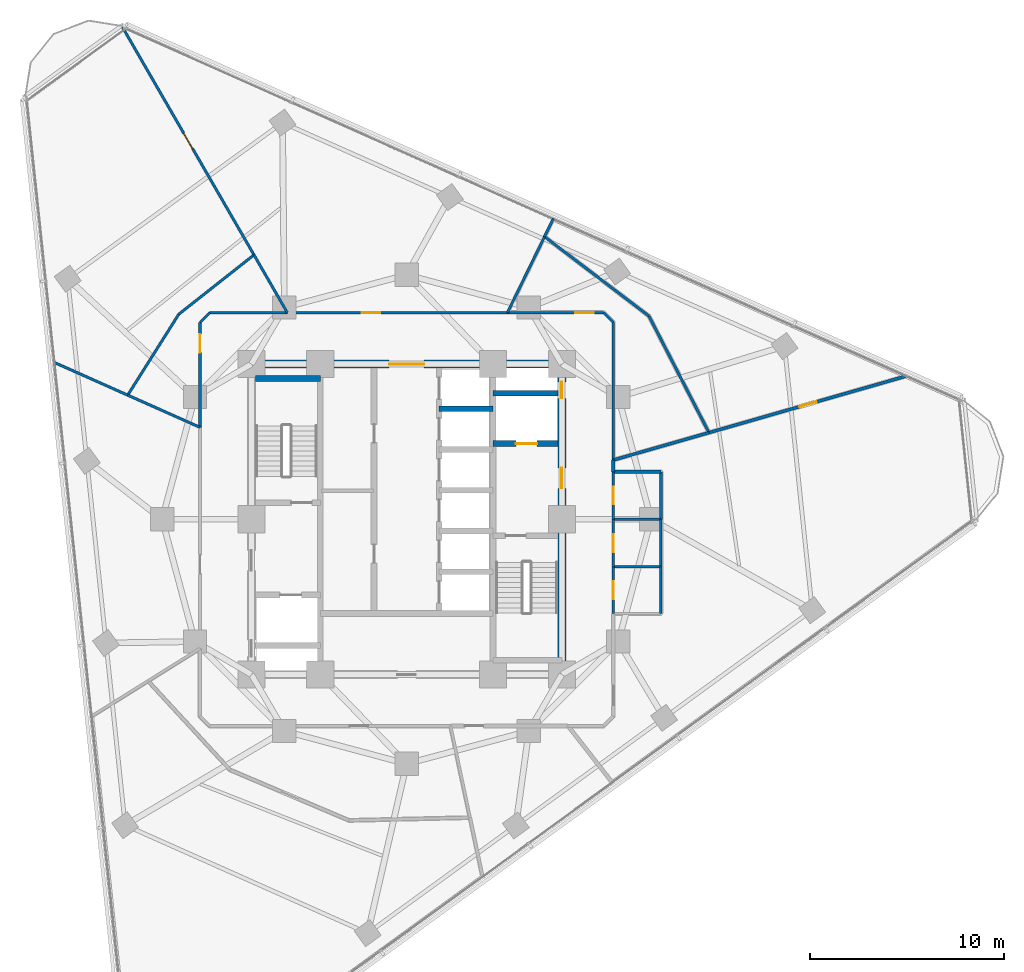
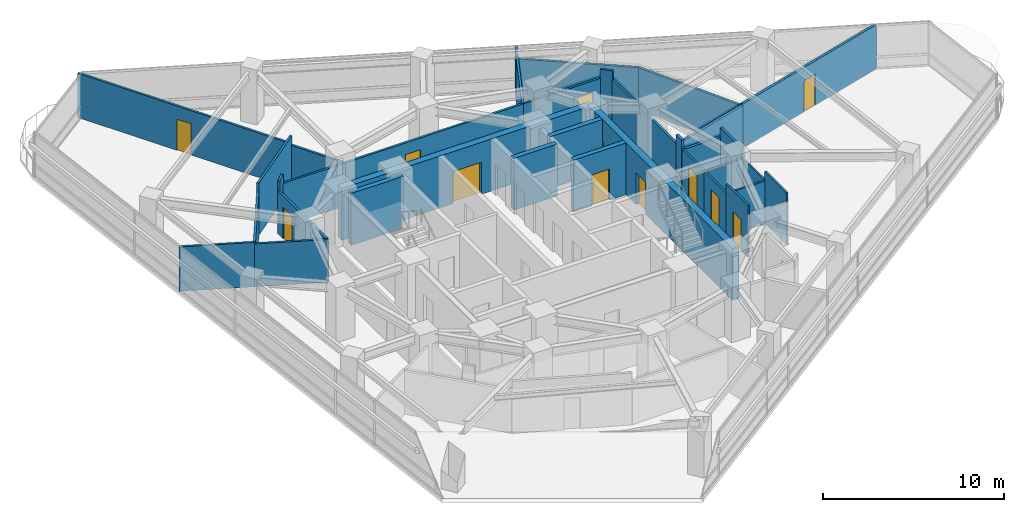
# One storey, part 9 of 14: 35 walls, 12 doors, 12 openings.
"""IFC4 building model written with IfcOpenShell, lengths in metres."""

from ifc_helpers import new_model, si_unit, direction, frame, frame_2d, origin, place, context, subcontext, project, spatial, rectangle, extrude, material, layer, layer_set, type_object, element, fill, save


model = new_model("IFC4")

# Units and contexts
model_context = context("Model", 3, precision=1e-05, world=origin(), true_north=direction((0.0, 1.0)))
body_context = subcontext(model_context, "Body", "Model", "MODEL_VIEW")
ifc_project = project(units=[si_unit("LENGTHUNIT", "METRE"), si_unit("AREAUNIT", "SQUARE_METRE"), si_unit("VOLUMEUNIT", "CUBIC_METRE"), si_unit("PLANEANGLEUNIT", "RADIAN"), si_unit("MASSUNIT", "GRAM", prefix="KILO")], contexts=[model_context])

# Site, building, storey
site_placement = place(None, origin())
site = spatial("IfcSite", under=ifc_project, at=site_placement, CompositionType="ELEMENT")
building_placement = place(site_placement, origin())
building = spatial("IfcBuilding", under=site, at=building_placement, Name="Terralouvre Media Tower", CompositionType="ELEMENT")
storey_placement = place(building_placement, frame((0.0, 0.0, 154.60009765625)))
storey = spatial("IfcBuildingStorey", under=building, at=storey_placement, Name="L39", CompositionType="ELEMENT", Elevation=154.60009765625)

# Wall
ifc_material_1 = material(Name="Concrete C50/60", Category="concrete")
ifc_layer_1 = layer(ifc_material_1, 0.300048828125, Name="Core Internal Shaft Wall CW-300")
ifc_layer_set_1 = layer_set([ifc_layer_1], Name="Concrete C50/60")
wall_type_1 = type_object("IfcWallType", Name="Core Internal Shaft Wall CW-300", PredefinedType="SHEAR", material=ifc_layer_set_1)
wall_1_placement = place(storey_placement, frame((-7.7900390625, 7.260009765625, 0.0), z_axis=(0.0, 0.0, 1.0), x_axis=(1.0, 0.0, 0.0)))
element("IfcWall", 1, at=wall_1_placement, inside=storey, type_object=wall_type_1, Name="L39 Core Shaft Wall ST1F", PredefinedType="SHEAR", context=body_context, shape_type="SweptSolid", body=[
    extrude(rectangle(XDim=3.340087890625, YDim=0.300048828125, at=frame_2d((1.669921875, 0.0))), origin(), (0.0, 0.0, 1.0), 3.5),
])

# Wall, opening, door
wall_2_placement = place(storey_placement, frame((4.449951171875, 3.89990234375, 0.0), z_axis=(0.0, 0.0, 1.0), x_axis=(1.0, 0.0, 0.0)))
wall_2 = element("IfcWall", 2, at=wall_2_placement, inside=storey, type_object=wall_type_1, Name="L39 Core Shaft Wall FF2S", PredefinedType="SHEAR", context=body_context, shape_type="SweptSolid", body=[
    extrude(rectangle(XDim=3.340087890625, YDim=0.300048828125, at=frame_2d((1.669921875, 0.0))), origin(), (0.0, 0.0, 1.0), 3.5),
])
opening_1_placement = place(wall_2_placement, frame((1.179931640625, 0.0, 0.0)))
opening_1 = element("IfcOpeningElement", 3, at=opening_1_placement, cuts=wall_2, Name="Opening LD-FF", PredefinedType="OPENING", context=body_context, shape_type="SweptSolid", body=[
    extrude(rectangle(XDim=1.10009765625, YDim=2.10009765625, at=frame_2d((0.550048828125, 1.050048828125))), frame((0.0, 0.159912109375, 0.0), z_axis=(0.0, -1.0, 0.0), x_axis=(1.0, 0.0, 0.0)), (0.0, 0.0, 1.0), 0.320068359375),
])
ifc_material_2 = material(Name="Stainless steel 316 handrail and balustrade", Category="steel")
door_type_1 = type_object("IfcDoorType", Name="Firefighting Lift Sliding Landing Door LD-FF", OperationType="SLIDING_TO_LEFT", PredefinedType="DOOR", material=ifc_material_2)
door_1_placement = place(opening_1_placement, origin())
door_1 = element("IfcDoor", 4, at=door_1_placement, inside=storey, type_object=door_type_1, Name="L39 Firefighting Lift FFL-02 Landing Door", OperationType="SLIDING_TO_LEFT", OverallHeight=2.10009765625, OverallWidth=1.10009765625, PredefinedType="DOOR", context=body_context, shape_type="SweptSolid", body=[
    extrude(rectangle(XDim=1.10009765625, YDim=2.10009765625, at=frame_2d((0.550048828125, 1.050048828125))), frame((0.0, 0.02490234375, 0.0), z_axis=(0.0, -1.0, 0.0), x_axis=(1.0, 0.0, 0.0)), (0.0, 0.0, 1.0), 0.050048828125),
])
fill(opening_1, door_1)

# Walls
wall_3_placement = place(storey_placement, frame((4.449951171875, 6.5, 0.0), z_axis=(0.0, 0.0, 1.0), x_axis=(1.0, 0.0, 0.0)))
element("IfcWall", 5, at=wall_3_placement, inside=storey, type_object=wall_type_1, Name="L39 Core Shaft Wall FF2N", PredefinedType="SHEAR", context=body_context, shape_type="SweptSolid", body=[
    extrude(rectangle(XDim=3.340087890625, YDim=0.300048828125, at=frame_2d((1.669921875, 0.0))), origin(), (0.0, 0.0, 1.0), 3.5),
])
wall_4_placement = place(storey_placement, frame((1.679931640625, 5.699951171875, 0.0), z_axis=(0.0, 0.0, 1.0), x_axis=(1.0, 0.0, 0.0)))
element("IfcWall", 6, at=wall_4_placement, inside=storey, type_object=wall_type_1, Name="L39 Core Shaft Wall PLMD2", PredefinedType="SHEAR", context=body_context, shape_type="SweptSolid", body=[
    extrude(rectangle(XDim=2.77001953125, YDim=0.300048828125, at=frame_2d((1.385009765625, 0.0))), origin(), (0.0, 0.0, 1.0), 3.5),
])

# Wall, openings, doors
ifc_material_3 = material(Name="Concrete C60/75", Category="concrete")
ifc_layer_2 = layer(ifc_material_3, 0.419921875, Name="Core Reinforced Concrete Shear Wall CW-420")
ifc_layer_set_2 = layer_set([ifc_layer_2], Name="Concrete C60/75")
wall_type_2 = type_object("IfcWallType", Name="Core Reinforced Concrete Shear Wall CW-420", PredefinedType="SHEAR", material=ifc_layer_set_2)
wall_5_placement = place(storey_placement, frame((8.0, -8.0, 0.0), z_axis=(0.0, 0.0, 1.0), x_axis=(0.0, 1.0, 0.0)))
wall_5 = element("IfcWall", 7, at=wall_5_placement, inside=storey, type_object=wall_type_2, Name="L39 E Core Shear Wall", PredefinedType="SHEAR", context=body_context, shape_type="SweptSolid", body=[
    extrude(rectangle(XDim=16.0, YDim=0.419921875, at=frame_2d((8.0, 0.0))), origin(), (0.0, 0.0, 1.0), 3.5),
])
opening_2_placement = place(wall_5_placement, frame((9.60009765625, 0.0, 0.0)))
opening_2 = element("IfcOpeningElement", 8, at=opening_2_placement, cuts=wall_5, Name="Opening FD-01-105X215", PredefinedType="OPENING", context=body_context, shape_type="SweptSolid", body=[
    extrude(rectangle(XDim=1.050048828125, YDim=2.14990234375, at=frame_2d((0.52490234375, 1.074951171875))), frame((0.0, 0.219970703125, 0.0), z_axis=(0.0, -1.0, 0.0), x_axis=(1.0, 0.0, 0.0)), (0.0, 0.0, 1.0), 0.43994140625),
])
opening_3_placement = place(wall_5_placement, frame((14.228515625, 0.0, 0.0)))
opening_3 = element("IfcOpeningElement", 9, at=opening_3_placement, cuts=wall_5, Name="Opening TD-R1", PredefinedType="OPENING", context=body_context, shape_type="SweptSolid", body=[
    extrude(rectangle(XDim=0.85009765625, YDim=2.02001953125, at=frame_2d((0.425048828125, 1.010009765625))), frame((0.0, 0.219970703125, 0.0), z_axis=(0.0, -1.0, 0.0), x_axis=(1.0, 0.0, 0.0)), (0.0, 0.0, 1.0), 0.43994140625),
])
ifc_material_4 = material(Name="Galvanised steel fire-resisting leaf", Category="steel")
door_type_2 = type_object("IfcDoorType", Name="Riser Inspection Access Trapdoor TD-R1", OperationType="NOTDEFINED", PredefinedType="TRAPDOOR", material=ifc_material_4)
door_2_placement = place(opening_3_placement, origin())
door_2 = element("IfcDoor", 10, at=door_2_placement, inside=storey, type_object=door_type_2, Name="L39 East Comms Riser Access Trapdoor", OperationType="SINGLE_SWING_RIGHT", OverallHeight=2.02001953125, OverallWidth=0.85009765625, PredefinedType="TRAPDOOR", context=body_context, shape_type="SweptSolid", body=[
    extrude(rectangle(XDim=0.85009765625, YDim=2.02001953125, at=frame_2d((0.425048828125, 1.010009765625))), frame((0.0, 0.02490234375, 0.0), z_axis=(0.0, -1.0, 0.0), x_axis=(1.0, 0.0, 0.0)), (0.0, 0.0, 1.0), 0.050048828125),
])
fill(opening_3, door_2)
ifc_material_5 = material(Name="Galvanised steel fire-resisting leaf", Category="steel")
door_type_3 = type_object("IfcDoorType", Name="Stair and Firefighting Lobby Fire Door FD-01 (1050x2150)", OperationType="NOTDEFINED", PredefinedType="DOOR", material=ifc_material_5)
door_3_placement = place(opening_2_placement, origin())
door_3 = element("IfcDoor", 11, at=door_3_placement, inside=storey, type_object=door_type_3, Name="L39 East Firefighting Lobby Entry Door", OperationType="SINGLE_SWING_LEFT", OverallHeight=2.14990234375, OverallWidth=1.050048828125, PredefinedType="DOOR", context=body_context, shape_type="SweptSolid", body=[
    extrude(rectangle(XDim=1.050048828125, YDim=2.14990234375, at=frame_2d((0.52490234375, 1.074951171875))), frame((0.0, 0.02490234375, 0.0), z_axis=(0.0, -1.0, 0.0), x_axis=(1.0, 0.0, 0.0)), (0.0, 0.0, 1.0), 0.050048828125),
])
fill(opening_2, door_3)

# Wall, opening, door
wall_6_placement = place(storey_placement, frame((-8.0, 8.0, 0.0), z_axis=(0.0, 0.0, 1.0), x_axis=(1.0, 0.0, 0.0)))
wall_6 = element("IfcWall", 12, at=wall_6_placement, inside=storey, type_object=wall_type_2, Name="L39 N Core Shear Wall", PredefinedType="SHEAR", context=body_context, shape_type="SweptSolid", body=[
    extrude(rectangle(XDim=16.0, YDim=0.419921875, at=frame_2d((8.0, 0.0))), origin(), (0.0, 0.0, 1.0), 3.5),
])
opening_4_placement = place(wall_6_placement, frame((7.10009765625, 0.0, 0.0)))
opening_4 = element("IfcOpeningElement", 13, at=opening_4_placement, cuts=wall_6, Name="Opening FD-03", PredefinedType="OPENING", context=body_context, shape_type="SweptSolid", body=[
    extrude(rectangle(XDim=1.800048828125, YDim=2.14990234375, at=frame_2d((0.89990234375, 1.074951171875))), frame((0.0, 0.219970703125, 0.0), z_axis=(0.0, -1.0, 0.0), x_axis=(1.0, 0.0, 0.0)), (0.0, 0.0, 1.0), 0.43994140625),
])
ifc_material_6 = material(Name="Galvanised steel fire-resisting leaf", Category="steel")
door_type_4 = type_object("IfcDoorType", Name="Corridor Smoke-Control Double Door FD-03", OperationType="DOUBLE_DOOR_SINGLE_SWING", PredefinedType="DOOR", material=ifc_material_6)
door_4_placement = place(opening_4_placement, origin())
door_4 = element("IfcDoor", 14, at=door_4_placement, inside=storey, type_object=door_type_4, Name="L39 Central Lift Lobby Portal Door", OperationType="DOUBLE_DOOR_SINGLE_SWING", OverallHeight=2.14990234375, OverallWidth=1.800048828125, PredefinedType="DOOR", context=body_context, shape_type="SweptSolid", body=[
    extrude(rectangle(XDim=1.800048828125, YDim=2.14990234375, at=frame_2d((0.89990234375, 1.074951171875))), frame((0.0, 0.02490234375, 0.0), z_axis=(0.0, -1.0, 0.0), x_axis=(1.0, 0.0, 0.0)), (0.0, 0.0, 1.0), 0.050048828125),
])
fill(opening_4, door_4)

# Walls
ifc_material_7 = material(Name="Fire-rated gypsum board drywall partition")
ifc_layer_3 = layer(ifc_material_7, 0.135009765625, Name="Newsroom Acoustic Partition PT-135")
ifc_layer_set_3 = layer_set([ifc_layer_3], Name="Fire-rated gypsum board drywall partition")
wall_type_3 = type_object("IfcWallType", Name="Newsroom Acoustic Partition PT-135", PredefinedType="PARTITIONING", material=ifc_layer_set_3)
wall_7_placement = place(storey_placement, frame((10.64990234375, 3.053955078125, 0.0), z_axis=(0.0, 0.0, 1.0), x_axis=(0.0, 1.0, 0.0)))
element("IfcWall", 15, at=wall_7_placement, inside=storey, type_object=wall_type_3, Name="L39 Interior Partition 013", PredefinedType="PARTITIONING", context=body_context, shape_type="SweptSolid", body=[
    extrude(rectangle(XDim=7.095947265625, YDim=0.135009765625, at=frame_2d((3.5478515625, 0.0))), origin(), (0.0, 0.0, 1.0), 2.885009765625),
])
wall_8_placement = place(storey_placement, frame((10.64990234375, 10.14990234375, 0.0), z_axis=(0.0, 0.0, 1.0), x_axis=(-0.707106781187, 0.707106781187, 0.0)))
element("IfcWall", 16, at=wall_8_placement, inside=storey, type_object=wall_type_3, Name="L39 Interior Partition 014", PredefinedType="PARTITIONING", context=body_context, shape_type="SweptSolid", body=[
    extrude(rectangle(XDim=0.70703125, YDim=0.135009765625, at=frame_2d((0.353515625, 0.0))), origin(), (0.0, 0.0, 1.0), 3.5),
])

# Wall, opening, door
wall_9_placement = place(storey_placement, frame((10.14990234375, 10.64990234375, 0.0), z_axis=(0.0, 0.0, 1.0), x_axis=(-1.0, 0.0, 0.0)))
wall_9 = element("IfcWall", 17, at=wall_9_placement, inside=storey, type_object=wall_type_3, Name="L39 Interior Partition 015", PredefinedType="PARTITIONING", context=body_context, shape_type="SweptSolid", body=[
    extrude(rectangle(XDim=4.955810546875, YDim=0.135009765625, at=frame_2d((2.47802734375, 0.0))), origin(), (0.0, 0.0, 1.0), 2.885009765625),
])
opening_5_placement = place(wall_9_placement, frame((0.51611328125, 0.0, 0.0)))
opening_5 = element("IfcOpeningElement", 18, at=opening_5_placement, cuts=wall_9, Name="Opening ID-02-95X210", PredefinedType="OPENING", context=body_context, shape_type="SweptSolid", body=[
    extrude(rectangle(XDim=0.949951171875, YDim=2.10009765625, at=frame_2d((0.47509765625, 1.050048828125))), frame((0.0, 0.077392578125, 0.0), z_axis=(0.0, -1.0, 0.0), x_axis=(1.0, 0.0, 0.0)), (0.0, 0.0, 1.0), 0.155029296875),
])
ifc_material_8 = material(Name="Engineered hardwood acoustic timber leaf", Category="wood")
door_type_5 = type_object("IfcDoorType", Name="Office and Meeting Room Door ID-02 (950x2100)", OperationType="NOTDEFINED", PredefinedType="DOOR", material=ifc_material_8)
door_5_placement = place(opening_5_placement, origin())
door_5 = element("IfcDoor", 19, at=door_5_placement, inside=storey, type_object=door_type_5, Name="L39 Acoustic Music Listening Room 7 Door", OperationType="SINGLE_SWING_LEFT", OverallHeight=2.10009765625, OverallWidth=0.949951171875, PredefinedType="DOOR", context=body_context, shape_type="SweptSolid", body=[
    extrude(rectangle(XDim=0.949951171875, YDim=2.10009765625, at=frame_2d((0.47509765625, 1.050048828125))), frame((0.0, 0.02490234375, 0.0), z_axis=(0.0, -1.0, 0.0), x_axis=(1.0, 0.0, 0.0)), (0.0, 0.0, 1.0), 0.050048828125),
])
fill(opening_5, door_5)

wall_10_placement = place(storey_placement, frame((5.194091796875, 10.64990234375, 0.0), z_axis=(0.0, 0.0, 1.0), x_axis=(-1.0, 0.0, 0.0)))
wall_10 = element("IfcWall", 20, at=wall_10_placement, inside=storey, type_object=wall_type_3, Name="L39 Interior Partition 016", PredefinedType="PARTITIONING", context=body_context, shape_type="SweptSolid", body=[
    extrude(rectangle(XDim=11.343017578125, YDim=0.135009765625, at=frame_2d((5.67138671875, 0.0))), origin(), (0.0, 0.0, 1.0), 2.885009765625),
])
opening_6_placement = place(wall_10_placement, frame((6.5576171875, 0.0, 0.0)))
opening_6 = element("IfcOpeningElement", 21, at=opening_6_placement, cuts=wall_10, Name="Opening ID-02-95X210", PredefinedType="OPENING", context=body_context, shape_type="SweptSolid", body=[
    extrude(rectangle(XDim=0.949951171875, YDim=2.10009765625, at=frame_2d((0.47509765625, 1.050048828125))), frame((0.0, 0.077392578125, 0.0), z_axis=(0.0, -1.0, 0.0), x_axis=(1.0, 0.0, 0.0)), (0.0, 0.0, 1.0), 0.155029296875),
])
door_6_placement = place(opening_6_placement, origin())
door_6 = element("IfcDoor", 22, at=door_6_placement, inside=storey, type_object=door_type_5, Name="L39 Camera Lens Vault Store 8 Door", OperationType="SINGLE_SWING_RIGHT", OverallHeight=2.10009765625, OverallWidth=0.949951171875, PredefinedType="DOOR", context=body_context, shape_type="SweptSolid", body=[
    extrude(rectangle(XDim=0.949951171875, YDim=2.10009765625, at=frame_2d((0.47509765625, 1.050048828125))), frame((0.0, 0.02490234375, 0.0), z_axis=(0.0, -1.0, 0.0), x_axis=(1.0, 0.0, 0.0)), (0.0, 0.0, 1.0), 0.050048828125),
])
fill(opening_6, door_6)

# Walls
wall_11_placement = place(storey_placement, frame((-6.14892578125, 10.64990234375, 0.0), z_axis=(0.0, 0.0, 1.0), x_axis=(-1.0, 0.0, 0.0)))
element("IfcWall", 23, at=wall_11_placement, inside=storey, type_object=wall_type_3, Name="L39 Interior Partition 017", PredefinedType="PARTITIONING", context=body_context, shape_type="SweptSolid", body=[
    extrude(rectangle(XDim=4.0009765625, YDim=0.135009765625, at=frame_2d((2.00048828125, 0.0))), origin(), (0.0, 0.0, 1.0), 2.885009765625),
])
wall_12_placement = place(storey_placement, frame((-10.14990234375, 10.64990234375, 0.0), z_axis=(0.0, 0.0, 1.0), x_axis=(-0.707106781187, -0.707106781187, 0.0)))
element("IfcWall", 24, at=wall_12_placement, inside=storey, type_object=wall_type_3, Name="L39 Interior Partition 018", PredefinedType="PARTITIONING", context=body_context, shape_type="SweptSolid", body=[
    extrude(rectangle(XDim=0.70703125, YDim=0.135009765625, at=frame_2d((0.353515625, 0.0))), origin(), (0.0, 0.0, 1.0), 3.5),
])

# Wall, opening, door
wall_13_placement = place(storey_placement, frame((-10.64990234375, 10.14990234375, 0.0), z_axis=(0.0, 0.0, 1.0), x_axis=(0.0, -1.0, 0.0)))
wall_13 = element("IfcWall", 25, at=wall_13_placement, inside=storey, type_object=wall_type_3, Name="L39 Interior Partition 019", PredefinedType="PARTITIONING", context=body_context, shape_type="SweptSolid", body=[
    extrude(rectangle(XDim=5.407958984375, YDim=0.135009765625, at=frame_2d((2.7041015625, 0.0))), origin(), (0.0, 0.0, 1.0), 2.885009765625),
])
opening_7_placement = place(wall_13_placement, frame((0.606689453125, 0.0, 0.0)))
opening_7 = element("IfcOpeningElement", 26, at=opening_7_placement, cuts=wall_13, Name="Opening ID-02-95X210", PredefinedType="OPENING", context=body_context, shape_type="SweptSolid", body=[
    extrude(rectangle(XDim=0.949951171875, YDim=2.10009765625, at=frame_2d((0.47509765625, 1.050048828125))), frame((0.0, 0.077392578125, 0.0), z_axis=(0.0, -1.0, 0.0), x_axis=(1.0, 0.0, 0.0)), (0.0, 0.0, 1.0), 0.155029296875),
])
door_7_placement = place(opening_7_placement, origin())
door_7 = element("IfcDoor", 27, at=door_7_placement, inside=storey, type_object=door_type_5, Name="L39 Stage Prop Archive Storage 10 Door", OperationType="SINGLE_SWING_LEFT", OverallHeight=2.10009765625, OverallWidth=0.949951171875, PredefinedType="DOOR", context=body_context, shape_type="SweptSolid", body=[
    extrude(rectangle(XDim=0.949951171875, YDim=2.10009765625, at=frame_2d((0.47509765625, 1.050048828125))), frame((0.0, 0.02490234375, 0.0), z_axis=(0.0, -1.0, 0.0), x_axis=(1.0, 0.0, 0.0)), (0.0, 0.0, 1.0), 0.050048828125),
])
fill(opening_7, door_7)

# Walls
wall_14_placement = place(storey_placement, frame((-14.3740234375, 6.39990234375, 0.0), z_axis=(0.0, 0.0, 1.0), x_axis=(-0.913556010805, 0.406712939457, 0.0)))
element("IfcWall", 28, at=wall_14_placement, inside=storey, type_object=wall_type_3, Name="L39 Interior Partition 022", PredefinedType="PARTITIONING", context=body_context, shape_type="SweptSolid", body=[
    extrude(rectangle(XDim=4.17919921875, YDim=0.135009765625, at=frame_2d((2.089599609375, 0.0))), origin(), (0.0, 0.0, 1.0), 2.98486328125),
])
wall_15_placement = place(storey_placement, frame((-10.64990234375, 4.741943359375, 0.0), z_axis=(0.0, 0.0, 1.0), x_axis=(-0.913556992648, 0.406710734042, 0.0)))
element("IfcWall", 29, at=wall_15_placement, inside=storey, type_object=wall_type_3, Name="L39 Interior Partition 023", PredefinedType="PARTITIONING", context=body_context, shape_type="SweptSolid", body=[
    extrude(rectangle(XDim=4.076416015625, YDim=0.135009765625, at=frame_2d((2.0380859375, 0.0))), origin(), (0.0, 0.0, 1.0), 2.885009765625),
])
wall_16_placement = place(storey_placement, frame((7.10595703125, 14.569091796875, 0.0), z_axis=(0.0, 0.0, 1.0), x_axis=(0.795990968219, -0.60530849863, 0.0)))
element("IfcWall", 30, at=wall_16_placement, inside=storey, type_object=wall_type_3, Name="L39 Interior Partition 039", PredefinedType="PARTITIONING", context=body_context, shape_type="SweptSolid", body=[
    extrude(rectangle(XDim=6.76025390625, YDim=0.135009765625, at=frame_2d((3.380126953125, 0.0))), origin(), (0.0, 0.0, 1.0), 2.885009765625),
])
wall_17_placement = place(storey_placement, frame((12.487060546875, 10.47705078125, 0.0), z_axis=(0.0, 0.0, 1.0), x_axis=(0.457887389752, -0.889010201464, 0.0)))
element("IfcWall", 31, at=wall_17_placement, inside=storey, type_object=wall_type_3, Name="L39 Interior Partition 040", PredefinedType="PARTITIONING", context=body_context, shape_type="SweptSolid", body=[
    extrude(rectangle(XDim=6.75927734375, YDim=0.135009765625, at=frame_2d((3.379638671875, 0.0))), origin(), (0.0, 0.0, 1.0), 2.885009765625),
])
wall_18_placement = place(storey_placement, frame((7.564453125, 15.509521484375, 0.0), z_axis=(0.0, 0.0, 1.0), x_axis=(-0.438230528202, -0.898862616951, 0.0)))
element("IfcWall", 32, at=wall_18_placement, inside=storey, type_object=wall_type_3, Name="L39 Interior Partition 041", PredefinedType="PARTITIONING", context=body_context, shape_type="SweptSolid", body=[
    extrude(rectangle(XDim=1.046142578125, YDim=0.135009765625, at=frame_2d((0.52294921875, 0.0))), origin(), (0.0, 0.0, 1.0), 2.98486328125),
])
wall_19_placement = place(storey_placement, frame((7.10595703125, 14.569091796875, 0.0), z_axis=(0.0, 0.0, 1.0), x_axis=(-0.43843576568, -0.898762526684, 0.0)))
element("IfcWall", 33, at=wall_19_placement, inside=storey, type_object=wall_type_3, Name="L39 Interior Partition 042", PredefinedType="PARTITIONING", context=body_context, shape_type="SweptSolid", body=[
    extrude(rectangle(XDim=4.360595703125, YDim=0.135009765625, at=frame_2d((2.18017578125, 0.0))), origin(), (0.0, 0.0, 1.0), 2.885009765625),
])

# Wall, opening, door
wall_20_placement = place(storey_placement, frame((-14.645751953125, 25.36669921875, 0.0), z_axis=(0.0, 0.0, 1.0), x_axis=(0.500047745944, -0.865997835896, 0.0)))
wall_20 = element("IfcWall", 34, at=wall_20_placement, inside=storey, type_object=wall_type_3, Name="L39 Interior Partition 043", PredefinedType="PARTITIONING", context=body_context, shape_type="SweptSolid", body=[
    extrude(rectangle(XDim=13.556396484375, YDim=0.135009765625, at=frame_2d((6.7783203125, 0.0))), origin(), (0.0, 0.0, 1.0), 2.98486328125),
])
opening_8_placement = place(wall_20_placement, frame((6.318115234375, 0.0, 0.0)))
opening_8 = element("IfcOpeningElement", 35, at=opening_8_placement, cuts=wall_20, Name="Opening ID-03-92X210", PredefinedType="OPENING", context=body_context, shape_type="SweptSolid", body=[
    extrude(rectangle(XDim=0.919921875, YDim=2.10009765625, at=frame_2d((0.4599609375, 1.050048828125))), frame((0.0, 0.077392578125, 0.0), z_axis=(0.0, -1.0, 0.0), x_axis=(1.0, 0.0, 0.0)), (0.0, 0.0, 1.0), 0.155029296875),
])
ifc_material_9 = material(Name="Engineered hardwood acoustic timber leaf", Category="wood")
door_type_6 = type_object("IfcDoorType", Name="Accessible Restroom and Suite Door ID-03 (920x2100)", OperationType="NOTDEFINED", PredefinedType="DOOR", material=ifc_material_9)
door_8_placement = place(opening_8_placement, origin())
door_8 = element("IfcDoor", 36, at=door_8_placement, inside=storey, type_object=door_type_6, Name="L39 Wardrobe Costume Closet 9 Door", OperationType="SINGLE_SWING_RIGHT", OverallHeight=2.10009765625, OverallWidth=0.919921875, PredefinedType="DOOR", context=body_context, shape_type="SweptSolid", body=[
    extrude(rectangle(XDim=0.919921875, YDim=2.10009765625, at=frame_2d((0.4599609375, 1.050048828125))), frame((0.0, 0.02490234375, 0.0), z_axis=(0.0, -1.0, 0.0), x_axis=(1.0, 0.0, 0.0)), (0.0, 0.0, 1.0), 0.050048828125),
])
fill(opening_8, door_8)

# Walls
wall_21_placement = place(storey_placement, frame((-7.866943359375, 13.626953125, 0.0), z_axis=(0.0, 0.0, 1.0), x_axis=(0.499829032188, -0.866124089598, 0.0)))
element("IfcWall", 37, at=wall_21_placement, inside=storey, type_object=wall_type_3, Name="L39 Interior Partition 044", PredefinedType="PARTITIONING", context=body_context, shape_type="SweptSolid", body=[
    extrude(rectangle(XDim=3.437255859375, YDim=0.135009765625, at=frame_2d((1.71875, 0.0))), origin(), (0.0, 0.0, 1.0), 2.885009765625),
])
wall_22_placement = place(storey_placement, frame((-14.3740234375, 6.39990234375, 0.0), z_axis=(0.0, 0.0, 1.0), x_axis=(0.53356651363, 0.845758106986, 0.0)))
element("IfcWall", 38, at=wall_22_placement, inside=storey, type_object=wall_type_3, Name="L39 Interior Partition 045", PredefinedType="PARTITIONING", context=body_context, shape_type="SweptSolid", body=[
    extrude(rectangle(XDim=4.93310546875, YDim=0.135009765625, at=frame_2d((2.466552734375, 0.0))), origin(), (0.0, 0.0, 1.0), 2.885009765625),
])
wall_23_placement = place(storey_placement, frame((-11.741943359375, 10.572021484375, 0.0), z_axis=(0.0, 0.0, 1.0), x_axis=(0.785304323173, 0.619109941776, 0.0)))
element("IfcWall", 39, at=wall_23_placement, inside=storey, type_object=wall_type_3, Name="L39 Interior Partition 046", PredefinedType="PARTITIONING", context=body_context, shape_type="SweptSolid", body=[
    extrude(rectangle(XDim=4.934326171875, YDim=0.135009765625, at=frame_2d((2.46728515625, 0.0))), origin(), (0.0, 0.0, 1.0), 3.5),
])

# Wall, opening, door
ifc_material_10 = material(Name="Fire-rated gypsum board drywall partition")
ifc_layer_4 = layer(ifc_material_10, 0.114990234375, Name="Restroom and Pantry Partition PT-115")
ifc_layer_set_4 = layer_set([ifc_layer_4], Name="Fire-rated gypsum board drywall partition")
wall_type_4 = type_object("IfcWallType", Name="Restroom and Pantry Partition PT-115", PredefinedType="PARTITIONING", material=ifc_layer_set_4)
wall_24_placement = place(storey_placement, frame((10.64990234375, -4.85009765625, 0.0), z_axis=(0.0, 0.0, 1.0), x_axis=(0.0, 1.0, 0.0)))
wall_24 = element("IfcWall", 40, at=wall_24_placement, inside=storey, type_object=wall_type_4, Name="L39 Interior Partition 006", PredefinedType="PARTITIONING", context=body_context, shape_type="SweptSolid", body=[
    extrude(rectangle(XDim=2.400146484375, YDim=0.114990234375, at=frame_2d((1.2001953125, 0.0))), origin(), (0.0, 0.0, 1.0), 3.5),
])
opening_9_placement = place(wall_24_placement, frame((0.739990234375, 0.0, 0.0)))
opening_9 = element("IfcOpeningElement", 41, at=opening_9_placement, cuts=wall_24, Name="Opening ID-03-92X210", PredefinedType="OPENING", context=body_context, shape_type="SweptSolid", body=[
    extrude(rectangle(XDim=0.919921875, YDim=2.10009765625, at=frame_2d((0.4599609375, 1.050048828125))), frame((0.0, 0.0673828125, 0.0), z_axis=(0.0, -1.0, 0.0), x_axis=(1.0, 0.0, 0.0)), (0.0, 0.0, 1.0), 0.135009765625),
])
door_9_placement = place(opening_9_placement, origin())
door_9 = element("IfcDoor", 42, at=door_9_placement, inside=storey, type_object=door_type_6, Name="L39 Male Restroom WC Door", OperationType="SINGLE_SWING_LEFT", OverallHeight=2.10009765625, OverallWidth=0.919921875, PredefinedType="DOOR", context=body_context, shape_type="SweptSolid", body=[
    extrude(rectangle(XDim=0.919921875, YDim=2.10009765625, at=frame_2d((0.4599609375, 1.050048828125))), frame((0.0, 0.02490234375, 0.0), z_axis=(0.0, -1.0, 0.0), x_axis=(1.0, 0.0, 0.0)), (0.0, 0.0, 1.0), 0.050048828125),
])
fill(opening_9, door_9)

wall_25_placement = place(storey_placement, frame((10.64990234375, -2.449951171875, 0.0), z_axis=(0.0, 0.0, 1.0), x_axis=(0.0, 1.0, 0.0)))
wall_25 = element("IfcWall", 43, at=wall_25_placement, inside=storey, type_object=wall_type_4, Name="L39 Interior Partition 007", PredefinedType="PARTITIONING", context=body_context, shape_type="SweptSolid", body=[
    extrude(rectangle(XDim=2.449951171875, YDim=0.114990234375, at=frame_2d((1.22509765625, 0.0))), origin(), (0.0, 0.0, 1.0), 2.885009765625),
])
opening_10_placement = place(wall_25_placement, frame((0.764892578125, 0.0, 0.0)))
opening_10 = element("IfcOpeningElement", 44, at=opening_10_placement, cuts=wall_25, Name="Opening ID-03-92X210", PredefinedType="OPENING", context=body_context, shape_type="SweptSolid", body=[
    extrude(rectangle(XDim=0.919921875, YDim=2.10009765625, at=frame_2d((0.4599609375, 1.050048828125))), frame((0.0, 0.0673828125, 0.0), z_axis=(0.0, -1.0, 0.0), x_axis=(1.0, 0.0, 0.0)), (0.0, 0.0, 1.0), 0.135009765625),
])
door_10_placement = place(opening_10_placement, origin())
door_10 = element("IfcDoor", 45, at=door_10_placement, inside=storey, type_object=door_type_6, Name="L39 Female Restroom WC Door", OperationType="SINGLE_SWING_RIGHT", OverallHeight=2.10009765625, OverallWidth=0.919921875, PredefinedType="DOOR", context=body_context, shape_type="SweptSolid", body=[
    extrude(rectangle(XDim=0.919921875, YDim=2.10009765625, at=frame_2d((0.4599609375, 1.050048828125))), frame((0.0, 0.02490234375, 0.0), z_axis=(0.0, -1.0, 0.0), x_axis=(1.0, 0.0, 0.0)), (0.0, 0.0, 1.0), 0.050048828125),
])
fill(opening_10, door_10)

wall_26_placement = place(storey_placement, frame((10.64990234375, 0.0, 0.0), z_axis=(0.0, 0.0, 1.0), x_axis=(0.0, 1.0, 0.0)))
wall_26 = element("IfcWall", 46, at=wall_26_placement, inside=storey, type_object=wall_type_4, Name="L39 Interior Partition 012", PredefinedType="PARTITIONING", context=body_context, shape_type="SweptSolid", body=[
    extrude(rectangle(XDim=2.449951171875, YDim=0.114990234375, at=frame_2d((1.22509765625, 0.0))), origin(), (0.0, 0.0, 1.0), 2.885009765625),
])
opening_11_placement = place(wall_26_placement, frame((0.764892578125, 0.0, 0.0)))
opening_11 = element("IfcOpeningElement", 47, at=opening_11_placement, cuts=wall_26, Name="Opening ID-03-92X210", PredefinedType="OPENING", context=body_context, shape_type="SweptSolid", body=[
    extrude(rectangle(XDim=0.919921875, YDim=2.10009765625, at=frame_2d((0.4599609375, 1.050048828125))), frame((0.0, 0.0673828125, 0.0), z_axis=(0.0, -1.0, 0.0), x_axis=(1.0, 0.0, 0.0)), (0.0, 0.0, 1.0), 0.135009765625),
])
door_11_placement = place(opening_11_placement, origin())
door_11 = element("IfcDoor", 48, at=door_11_placement, inside=storey, type_object=door_type_6, Name="L39 Accessible Unisex WC Door", OperationType="SINGLE_SWING_RIGHT", OverallHeight=2.10009765625, OverallWidth=0.919921875, PredefinedType="DOOR", context=body_context, shape_type="SweptSolid", body=[
    extrude(rectangle(XDim=0.919921875, YDim=2.10009765625, at=frame_2d((0.4599609375, 1.050048828125))), frame((0.0, 0.02490234375, 0.0), z_axis=(0.0, -1.0, 0.0), x_axis=(1.0, 0.0, 0.0)), (0.0, 0.0, 1.0), 0.050048828125),
])
fill(opening_11, door_11)

# Walls
wall_27_placement = place(storey_placement, frame((13.10009765625, -2.449951171875, 0.0), z_axis=(0.0, 0.0, 1.0), x_axis=(-1.0, 0.0, 0.0)))
element("IfcWall", 49, at=wall_27_placement, inside=storey, type_object=wall_type_4, Name="L39 Interior Partition 030", PredefinedType="PARTITIONING", context=body_context, shape_type="SweptSolid", body=[
    extrude(rectangle(XDim=2.4501953125, YDim=0.114990234375, at=frame_2d((1.22509765625, 0.0))), origin(), (0.0, 0.0, 1.0), 2.885009765625),
])
wall_28_placement = place(storey_placement, frame((13.10009765625, -4.85009765625, 0.0), z_axis=(0.0, 0.0, 1.0), x_axis=(0.0, 1.0, 0.0)))
element("IfcWall", 50, at=wall_28_placement, inside=storey, type_object=wall_type_4, Name="L39 Interior Partition 032", PredefinedType="PARTITIONING", context=body_context, shape_type="SweptSolid", body=[
    extrude(rectangle(XDim=2.400146484375, YDim=0.114990234375, at=frame_2d((1.2001953125, 0.0))), origin(), (0.0, 0.0, 1.0), 3.5),
])
wall_29_placement = place(storey_placement, frame((13.10009765625, -2.449951171875, 0.0), z_axis=(0.0, 0.0, 1.0), x_axis=(0.0, 1.0, 0.0)))
element("IfcWall", 51, at=wall_29_placement, inside=storey, type_object=wall_type_4, Name="L39 Interior Partition 033", PredefinedType="PARTITIONING", context=body_context, shape_type="SweptSolid", body=[
    extrude(rectangle(XDim=2.449951171875, YDim=0.114990234375, at=frame_2d((1.22509765625, 0.0))), origin(), (0.0, 0.0, 1.0), 2.885009765625),
])
wall_30_placement = place(storey_placement, frame((13.10009765625, 0.0, 0.0), z_axis=(0.0, 0.0, 1.0), x_axis=(-1.0, 0.0, 0.0)))
element("IfcWall", 52, at=wall_30_placement, inside=storey, type_object=wall_type_4, Name="L39 Interior Partition 034", PredefinedType="PARTITIONING", context=body_context, shape_type="SweptSolid", body=[
    extrude(rectangle(XDim=2.4501953125, YDim=0.114990234375, at=frame_2d((1.22509765625, 0.0))), origin(), (0.0, 0.0, 1.0), 2.885009765625),
])
ifc_material_11 = material(Name="Fire-rated gypsum board drywall partition")
ifc_layer_5 = layer(ifc_material_11, 0.159912109375, Name="Studio Acoustic Rated Partition PT-160")
ifc_layer_set_5 = layer_set([ifc_layer_5], Name="Fire-rated gypsum board drywall partition")
wall_type_5 = type_object("IfcWallType", Name="Studio Acoustic Rated Partition PT-160", PredefinedType="PARTITIONING", material=ifc_layer_set_5)
wall_31_placement = place(storey_placement, frame((10.64990234375, 2.449951171875, 0.0), z_axis=(0.0, 0.0, 1.0), x_axis=(0.0, 1.0, 0.0)))
element("IfcWall", 53, at=wall_31_placement, inside=storey, type_object=wall_type_5, Name="L39 Interior Partition 011", PredefinedType="PARTITIONING", context=body_context, shape_type="SweptSolid", body=[
    extrude(rectangle(XDim=0.60400390625, YDim=0.159912109375, at=frame_2d((0.302001953125, 0.0))), origin(), (0.0, 0.0, 1.0), 3.5),
])
wall_32_placement = place(storey_placement, frame((10.64990234375, 2.449951171875, 0.0), z_axis=(0.0, 0.0, 1.0), x_axis=(1.0, 0.0, 0.0)))
element("IfcWall", 54, at=wall_32_placement, inside=storey, type_object=wall_type_5, Name="L39 Interior Partition 035", PredefinedType="PARTITIONING", context=body_context, shape_type="SweptSolid", body=[
    extrude(rectangle(XDim=2.4501953125, YDim=0.159912109375, at=frame_2d((1.22509765625, 0.0))), origin(), (0.0, 0.0, 1.0), 2.885009765625),
])
wall_33_placement = place(storey_placement, frame((13.10009765625, 2.449951171875, 0.0), z_axis=(0.0, 0.0, 1.0), x_axis=(0.0, -1.0, 0.0)))
element("IfcWall", 55, at=wall_33_placement, inside=storey, type_object=wall_type_5, Name="L39 Interior Partition 036", PredefinedType="PARTITIONING", context=body_context, shape_type="SweptSolid", body=[
    extrude(rectangle(XDim=2.449951171875, YDim=0.159912109375, at=frame_2d((1.22509765625, 0.0))), origin(), (0.0, 0.0, 1.0), 3.5),
])

# Wall, opening, door
wall_34_placement = place(storey_placement, frame((25.789794921875, 7.395263671875, 0.0), z_axis=(0.0, 0.0, 1.0), x_axis=(-0.961256282332, -0.275656234607, 0.0)))
wall_34 = element("IfcWall", 56, at=wall_34_placement, inside=storey, type_object=wall_type_5, Name="L39 Interior Partition 037", PredefinedType="PARTITIONING", context=body_context, shape_type="SweptSolid", body=[
    extrude(rectangle(XDim=10.619140625, YDim=0.159912109375, at=frame_2d((5.3095703125, 0.0))), origin(), (0.0, 0.0, 1.0), 2.98486328125),
])
opening_12_placement = place(wall_34_placement, frame((4.849609375, 0.0, 0.0)))
opening_12 = element("IfcOpeningElement", 57, at=opening_12_placement, cuts=wall_34, Name="Opening ID-03-92X210", PredefinedType="OPENING", context=body_context, shape_type="SweptSolid", body=[
    extrude(rectangle(XDim=0.919921875, YDim=2.10009765625, at=frame_2d((0.4599609375, 1.050048828125))), frame((0.0, 0.08984375, 0.0), z_axis=(0.0, -1.0, 0.0), x_axis=(1.0, 0.0, 0.0)), (0.0, 0.0, 1.0), 0.179931640625),
])
door_12_placement = place(opening_12_placement, origin())
door_12 = element("IfcDoor", 58, at=door_12_placement, inside=storey, type_object=door_type_6, Name="L39 Creative Set Workshop 6 Door", OperationType="SINGLE_SWING_LEFT", OverallHeight=2.10009765625, OverallWidth=0.919921875, PredefinedType="DOOR", context=body_context, shape_type="SweptSolid", body=[
    extrude(rectangle(XDim=0.919921875, YDim=2.10009765625, at=frame_2d((0.4599609375, 1.050048828125))), frame((0.0, 0.02490234375, 0.0), z_axis=(0.0, -1.0, 0.0), x_axis=(1.0, 0.0, 0.0)), (0.0, 0.0, 1.0), 0.050048828125),
])
fill(opening_12, door_12)

# Wall
wall_35_placement = place(storey_placement, frame((15.58203125, 4.468017578125, 0.0), z_axis=(0.0, 0.0, 1.0), x_axis=(-0.961272163105, -0.275600849852, 0.0)))
element("IfcWall", 59, at=wall_35_placement, inside=storey, type_object=wall_type_5, Name="L39 Interior Partition 038", PredefinedType="PARTITIONING", context=body_context, shape_type="SweptSolid", body=[
    extrude(rectangle(XDim=5.130859375, YDim=0.159912109375, at=frame_2d((2.5654296875, 0.0))), origin(), (0.0, 0.0, 1.0), 2.885009765625),
])

save(model, "model.ifc")
